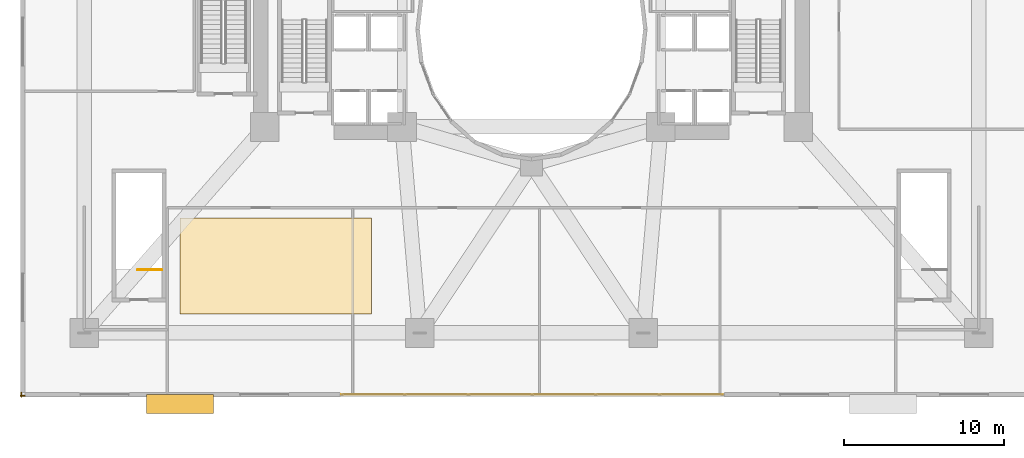
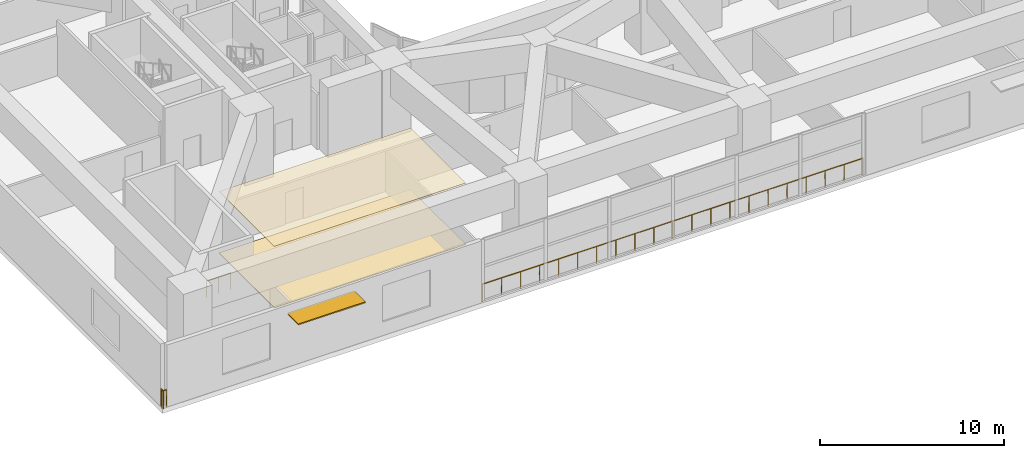
# One storey, part 22 of 27: 4 railings, 2 coverings, 1 shading device.
"""IFC4 building model written with IfcOpenShell, lengths in metres."""

from ifc_helpers import new_model, si_unit, direction, frame, origin, origin_2d, place, context, subcontext, project, spatial, polyline, rectangle, circle, outline, extrude, material, layer, layer_set, type_object, element, save


model = new_model("IFC4")

# Units and contexts
model_context = context("Model", 3, precision=1e-05, world=origin(), true_north=direction((0.0, 1.0)))
body_context = subcontext(model_context, "Body", "Model", "MODEL_VIEW")
ifc_project = project(units=[si_unit("LENGTHUNIT", "METRE"), si_unit("AREAUNIT", "SQUARE_METRE"), si_unit("VOLUMEUNIT", "CUBIC_METRE"), si_unit("PLANEANGLEUNIT", "RADIAN"), si_unit("MASSUNIT", "GRAM", prefix="KILO")], contexts=[model_context])

# Site, building, storey
site_placement = place(None, origin())
site = spatial("IfcSite", under=ifc_project, at=site_placement, CompositionType="ELEMENT")
building_placement = place(site_placement, origin())
building = spatial("IfcBuilding", under=site, at=building_placement, Name="Solvane Sanctuary Tower", CompositionType="ELEMENT")
storey_placement = place(building_placement, frame((0.0, 0.0, 23.0)))
storey = spatial("IfcBuildingStorey", under=building, at=storey_placement, Name="L06", CompositionType="ELEMENT", Elevation=23.0)

# Coverings
ifc_material_1 = material(Name="Acoustic Gypsum Partition Board")
ifc_layer_1 = layer(ifc_material_1, 0.02490234375, Name="Acoustic Gypsum Partition Board")
ifc_layer_set_1 = layer_set([ifc_layer_1], Name="Acoustic Gypsum Partition Board")
covering_type_1 = type_object("IfcCoveringType", Name="Covering CLG-ACOUST", PredefinedType="CEILING", material=ifc_layer_set_1)
covering_1_placement = place(storey_placement, frame((0.0, 0.0, 4.070068359375)))
element("IfcCovering", 1, at=covering_1_placement, inside=storey, type_object=covering_type_1, Name="L06 Sanctuary Acoustic Ceiling", PredefinedType="CEILING", context=body_context, shape_type="SweptSolid", body=[
    extrude(outline(polyline([(10.0, 5.199951171875), (22.0, 5.199951171875), (22.0, 11.199951171875), (10.0, 11.199951171875), (10.0, 5.199951171875)])), origin(), (0.0, 0.0, 1.0), 0.030029296875),
])
ifc_material_2 = material(Name="Ceramic Tile Finish")
ifc_layer_2 = layer(ifc_material_2, 0.030029296875, Name="Ceramic Tile Finish")
ifc_layer_set_2 = layer_set([ifc_layer_2], Name="Ceramic Tile Finish")
covering_type_2 = type_object("IfcCoveringType", Name="Covering FLR-TERRAZZO", PredefinedType="FLOORING", material=ifc_layer_set_2)
covering_2_placement = place(storey_placement, origin())
element("IfcCovering", 2, at=covering_2_placement, inside=storey, type_object=covering_type_2, Name="L06 Sanctuary Terrazzo Floor", PredefinedType="FLOORING", context=body_context, shape_type="SweptSolid", body=[
    extrude(outline(polyline([(10.0, 5.199951171875), (22.0, 5.199951171875), (22.0, 11.199951171875), (10.0, 11.199951171875), (10.0, 5.199951171875)])), origin(), (0.0, 0.0, 1.0), 0.0400390625),
])

# Railings
ifc_material_3 = material(Name="Architectural Stainless Steel 316", Category="steel")
railing_type = type_object("IfcRailingType", Name="Railing GR-BALC-1150", PredefinedType="BALUSTRADE", material=ifc_material_3)
railing_1_placement = place(storey_placement, frame((20.1201171875, 0.14990234375, 0.0)))
element("IfcRailing", 3, at=railing_1_placement, inside=storey, type_object=railing_type, Name="L06 Podium Curtain-Wall Sill Guard S2", PredefinedType="BALUSTRADE", context=body_context, shape_type="SweptSolid", body=[
    extrude(circle(Radius=0.02392578125, at=origin_2d()), frame((0.0, 0.0, 1.1259765625), z_axis=(1.0, 0.0, 0.0), x_axis=(0.0, 1.0, 0.0)), (0.0, 0.0, 1.0), 23.83984375),
    extrude(circle(Radius=0.02099609375, at=origin_2d()), origin(), (0.0, 0.0, 1.0), 1.101806640625),
    extrude(circle(Radius=0.02099609375, at=origin_2d()), frame((1.19189453125, 0.0, 0.0)), (0.0, 0.0, 1.0), 1.101806640625),
    extrude(circle(Radius=0.02099609375, at=origin_2d()), frame((2.384033203125, 0.0, 0.0)), (0.0, 0.0, 1.0), 1.101806640625),
    extrude(circle(Radius=0.02099609375, at=origin_2d()), frame((3.575927734375, 0.0, 0.0)), (0.0, 0.0, 1.0), 1.101806640625),
    extrude(circle(Radius=0.02099609375, at=origin_2d()), frame((4.76806640625, 0.0, 0.0)), (0.0, 0.0, 1.0), 1.101806640625),
    extrude(circle(Radius=0.02099609375, at=origin_2d()), frame((5.9599609375, 0.0, 0.0)), (0.0, 0.0, 1.0), 1.101806640625),
    extrude(circle(Radius=0.02099609375, at=origin_2d()), frame((7.15185546875, 0.0, 0.0)), (0.0, 0.0, 1.0), 1.101806640625),
    extrude(circle(Radius=0.02099609375, at=origin_2d()), frame((8.343994140625, 0.0, 0.0)), (0.0, 0.0, 1.0), 1.101806640625),
    extrude(circle(Radius=0.02099609375, at=origin_2d()), frame((9.535888671875, 0.0, 0.0)), (0.0, 0.0, 1.0), 1.101806640625),
    extrude(circle(Radius=0.02099609375, at=origin_2d()), frame((10.72802734375, 0.0, 0.0)), (0.0, 0.0, 1.0), 1.101806640625),
    extrude(circle(Radius=0.02099609375, at=origin_2d()), frame((11.919921875, 0.0, 0.0)), (0.0, 0.0, 1.0), 1.101806640625),
    extrude(circle(Radius=0.02099609375, at=origin_2d()), frame((13.11181640625, 0.0, 0.0)), (0.0, 0.0, 1.0), 1.101806640625),
    extrude(circle(Radius=0.02099609375, at=origin_2d()), frame((14.303955078125, 0.0, 0.0)), (0.0, 0.0, 1.0), 1.101806640625),
    extrude(circle(Radius=0.02099609375, at=origin_2d()), frame((15.495849609375, 0.0, 0.0)), (0.0, 0.0, 1.0), 1.101806640625),
    extrude(circle(Radius=0.02099609375, at=origin_2d()), frame((16.68798828125, 0.0, 0.0)), (0.0, 0.0, 1.0), 1.101806640625),
    extrude(circle(Radius=0.02099609375, at=origin_2d()), frame((17.8798828125, 0.0, 0.0)), (0.0, 0.0, 1.0), 1.101806640625),
    extrude(circle(Radius=0.02099609375, at=origin_2d()), frame((19.07177734375, 0.0, 0.0)), (0.0, 0.0, 1.0), 1.101806640625),
    extrude(circle(Radius=0.02099609375, at=origin_2d()), frame((20.263916015625, 0.0, 0.0)), (0.0, 0.0, 1.0), 1.101806640625),
    extrude(circle(Radius=0.02099609375, at=origin_2d()), frame((21.455810546875, 0.0, 0.0)), (0.0, 0.0, 1.0), 1.101806640625),
    extrude(circle(Radius=0.02099609375, at=origin_2d()), frame((22.64794921875, 0.0, 0.0)), (0.0, 0.0, 1.0), 1.101806640625),
    extrude(circle(Radius=0.02099609375, at=origin_2d()), frame((23.83984375, 0.0, 0.0)), (0.0, 0.0, 1.0), 1.101806640625),
])
railing_2_placement = place(storey_placement, frame((0.06005859375, 0.0, 0.0)))
element("IfcRailing", 4, at=railing_2_placement, inside=storey, type_object=railing_type, Name="L06 Perimeter Slab Edge Guardrail 01", PredefinedType="BALUSTRADE", context=body_context, shape_type="SweptSolid", body=[
    extrude(circle(Radius=0.02392578125, at=origin_2d()), frame((0.0, 0.0, 1.1259765625), z_axis=(0.0, 1.0, 0.0), x_axis=(-1.0, 0.0, 0.0)), (0.0, 0.0, 1.0), 0.280029296875),
    extrude(circle(Radius=0.02099609375, at=origin_2d()), origin(), (0.0, 0.0, 1.0), 1.101806640625),
    extrude(circle(Radius=0.02099609375, at=origin_2d()), frame((0.0, 0.280029296875, 0.0)), (0.0, 0.0, 1.0), 1.101806640625),
])
railing_3_placement = place(storey_placement, frame((0.280029296875, 0.06005859375, 0.0)))
element("IfcRailing", 5, at=railing_3_placement, inside=storey, type_object=railing_type, Name="L06 Perimeter Slab Edge Guardrail 05", PredefinedType="BALUSTRADE", context=body_context, shape_type="SweptSolid", body=[
    extrude(circle(Radius=0.02392578125, at=origin_2d()), frame((0.0, 0.0, 1.1259765625), z_axis=(-1.0, 0.0, 0.0), x_axis=(0.0, -1.0, 0.0)), (0.0, 0.0, 1.0), 0.280029296875),
    extrude(circle(Radius=0.02099609375, at=origin_2d()), origin(), (0.0, 0.0, 1.0), 1.101806640625),
    extrude(circle(Radius=0.02099609375, at=origin_2d()), frame((-0.280029296875, 0.0, 0.0)), (0.0, 0.0, 1.0), 1.101806640625),
])
railing_4_placement = place(storey_placement, frame((8.860107421875, 7.949951171875, 0.0)))
element("IfcRailing", 6, at=railing_4_placement, inside=storey, type_object=railing_type, Name="L06 ST-4 top well guard 1", PredefinedType="BALUSTRADE", context=body_context, shape_type="SweptSolid", body=[
    extrude(circle(Radius=0.02392578125, at=origin_2d()), frame((0.0, 0.0, 1.076171875), z_axis=(-1.0, 0.0, 0.0), x_axis=(0.0, -1.0, 0.0)), (0.0, 0.0, 1.0), 1.510009765625),
    extrude(circle(Radius=0.02099609375, at=origin_2d()), origin(), (0.0, 0.0, 1.0), 1.052001953125),
    extrude(circle(Radius=0.02099609375, at=origin_2d()), frame((-0.7548828125, 0.0, 0.0)), (0.0, 0.0, 1.0), 1.052001953125),
    extrude(circle(Radius=0.02099609375, at=origin_2d()), frame((-1.510009765625, 0.0, 0.0)), (0.0, 0.0, 1.0), 1.052001953125),
])

# Shading device
ifc_material_4 = material(Name="Anodised Aluminium 6063-T6", Category="aluminium")
ifc_layer_3 = layer(ifc_material_4, 0.080078125, Name="Anodised Aluminium 6063-T6")
ifc_layer_set_3 = layer_set([ifc_layer_3], Name="Anodised Aluminium 6063-T6")
shading_device_type = type_object("IfcShadingDeviceType", Name="Shading SHD-SUNSHADE", PredefinedType="AWNING", material=ifc_layer_set_3)
shading_device_placement = place(storey_placement, frame((10.0, -0.449951171875, 3.409912109375), z_axis=(0.0, 0.0, 1.0), x_axis=(1.0, 0.0, 0.0)))
element("IfcShadingDevice", 7, at=shading_device_placement, inside=storey, type_object=shading_device_type, Name="L06 Tropical Sunshade Canopy S1", PredefinedType="AWNING", context=body_context, shape_type="SweptSolid", body=[
    extrude(rectangle(XDim=4.199951171875, YDim=1.199951171875, at=origin_2d()), origin(), (0.0, 0.0, 1.0), 0.080078125),
])

save(model, "model.ifc")
